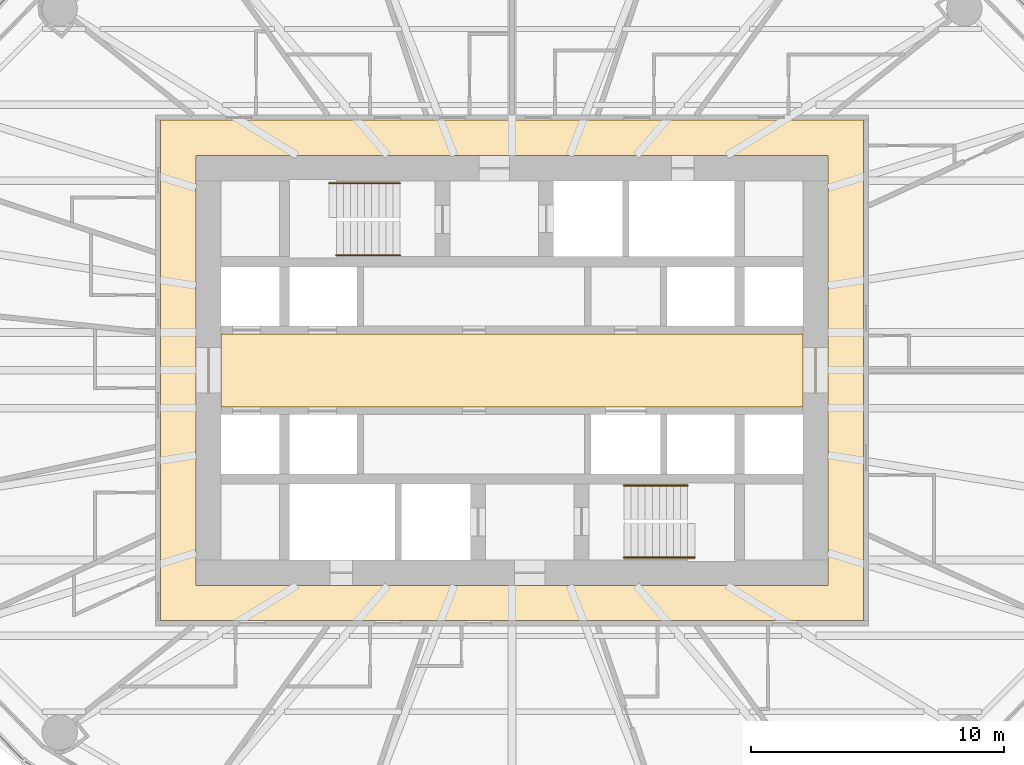
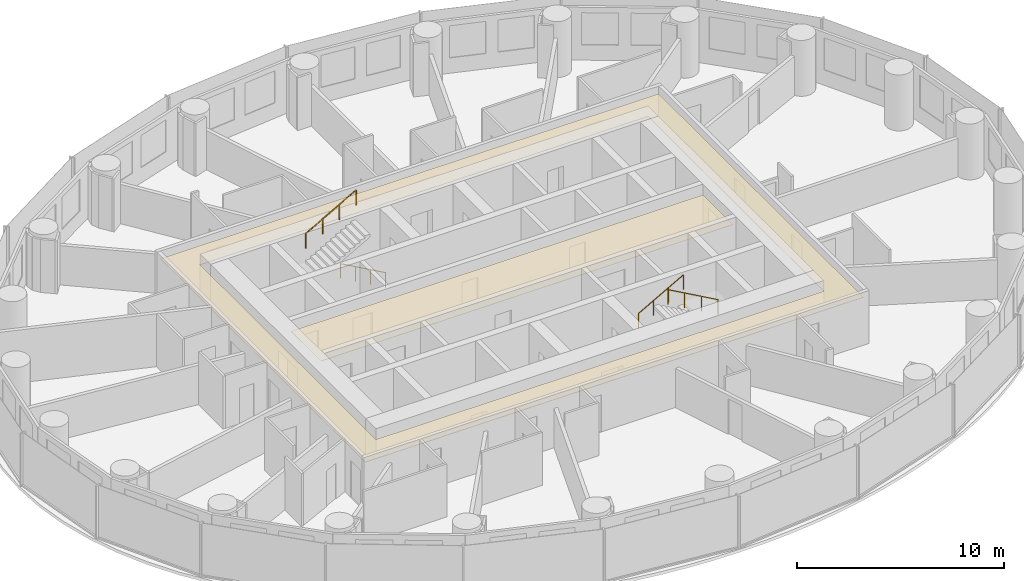
# One storey, part 13 of 13: 4 railings, 2 coverings.
"""IFC4 building model written with IfcOpenShell, lengths in metres."""

from ifc_helpers import new_model, si_unit, direction, frame, origin, origin_2d, place, context, subcontext, project, spatial, polyline, circle, outline, extrude, material, layer, layer_set, type_object, element, save


model = new_model("IFC4")

# Units and contexts
model_context = context("Model", 3, precision=1e-05, world=origin(), true_north=direction((0.0, 1.0)))
body_context = subcontext(model_context, "Body", "Model", "MODEL_VIEW")
ifc_project = project(units=[si_unit("LENGTHUNIT", "METRE"), si_unit("AREAUNIT", "SQUARE_METRE"), si_unit("VOLUMEUNIT", "CUBIC_METRE"), si_unit("PLANEANGLEUNIT", "RADIAN"), si_unit("MASSUNIT", "GRAM", prefix="KILO")], contexts=[model_context])

# Site, building, storey
site_placement = place(None, origin())
site = spatial("IfcSite", under=ifc_project, at=site_placement, CompositionType="ELEMENT")
building_placement = place(site_placement, origin())
building = spatial("IfcBuilding", under=site, at=building_placement, Name="Hankou Lantern Tower", CompositionType="ELEMENT")
storey_placement = place(building_placement, frame((0.0, 0.0, 80.39990234375)))
storey = spatial("IfcBuildingStorey", under=building, at=storey_placement, Name="L20", CompositionType="ELEMENT", Elevation=80.39990234375)

# Coverings
ifc_material_1 = material(Name="Black painted aluminium linear ceiling panels", Category="aluminium")
ifc_layer_1 = layer(ifc_material_1, 0.02490234375)
ifc_layer_set_1 = layer_set([ifc_layer_1], Name="Black painted aluminium linear ceiling panels")
covering_type_1 = type_object("IfcCoveringType", Name="CL1 CORRIDOR CEILING 25", PredefinedType="CEILING", material=ifc_layer_set_1)
covering_1_placement = place(storey_placement, frame((0.0, 0.0, 2.64501953125)))
element("IfcCovering", 1, at=covering_1_placement, inside=storey, type_object=covering_type_1, Name="Corridor ceiling L20", PredefinedType="CEILING", context=body_context, shape_type="SweptSolid", body=[
    extrude(outline(polyline([(-13.89990234375, -9.89990234375), (13.89990234375, -9.89990234375), (13.89990234375, 9.89990234375), (-13.89990234375, 9.89990234375), (-13.89990234375, -9.89990234375)]), holes=[polyline([(-12.5, 8.5), (12.5, 8.5), (12.5, -8.5), (-12.5, -8.5), (-12.5, 8.5)])]), origin(), (0.0, 0.0, 1.0), 0.025146484375),
])
ifc_material_2 = material(Name="Perforated black aluminium acoustic tray ceiling", Category="aluminium")
ifc_layer_2 = layer(ifc_material_2, 0.014892578125)
ifc_layer_set_2 = layer_set([ifc_layer_2], Name="Perforated black aluminium acoustic tray ceiling")
covering_type_2 = type_object("IfcCoveringType", Name="CL2 LIFT LOBBY CEILING 15", PredefinedType="CEILING", material=ifc_layer_set_2)
covering_2_placement = place(storey_placement, frame((0.0, 0.0, 2.655029296875)))
element("IfcCovering", 2, at=covering_2_placement, inside=storey, type_object=covering_type_2, Name="Lift lobby ceiling L20", PredefinedType="CEILING", context=body_context, shape_type="SweptSolid", body=[
    extrude(outline(polyline([(-11.5, -1.449951171875), (11.5, -1.449951171875), (11.5, 1.449951171875), (-11.5, 1.449951171875), (-11.5, -1.449951171875)])), origin(), (0.0, 0.0, 1.0), 0.01513671875),
])

# Railings
ifc_material_3 = material(Name="Steel handrail", Category="steel")
railing_type = type_object("IfcRailingType", Name="HR1 STAIR HANDRAIL", PredefinedType="HANDRAIL", material=ifc_material_3)
railing_1_placement = place(storey_placement, frame((-4.429931640625, 4.550048828125, 0.900146484375)))
element("IfcRailing", 3, at=railing_1_placement, inside=storey, type_object=railing_type, Name="Handrail stair STA L20 flight 1", PredefinedType="HANDRAIL", context=body_context, shape_type="SweptSolid", body=[
    extrude(circle(Radius=0.02392578125, at=origin_2d()), frame((0.0, 0.0, 0.8759765625), z_axis=(-0.872048945198, 0.0, 0.489418672692), x_axis=(0.0, -1.0, 0.0)), (0.0, 0.0, 1.0), 2.8896484375),
    extrude(circle(Radius=0.02099609375, at=origin_2d()), origin(), (0.0, 0.0, 1.0), 0.851806640625),
    extrude(circle(Radius=0.02099609375, at=origin_2d()), frame((-0.840087890625, 0.0, 0.471435546875)), (0.0, 0.0, 1.0), 0.851806640625),
    extrude(circle(Radius=0.02099609375, at=origin_2d()), frame((-1.679931640625, 0.0, 0.94287109375)), (0.0, 0.0, 1.0), 0.851806640625),
    extrude(circle(Radius=0.02099609375, at=origin_2d()), frame((-2.52001953125, 0.0, 1.414306640625)), (0.0, 0.0, 1.0), 0.851806640625),
])
railing_2_placement = place(storey_placement, frame((-7.22998046875, 7.39990234375, 2.471435546875)))
element("IfcRailing", 4, at=railing_2_placement, inside=storey, type_object=railing_type, Name="Handrail stair STA L20 flight 2", PredefinedType="HANDRAIL", context=body_context, shape_type="SweptSolid", body=[
    extrude(circle(Radius=0.02392578125, at=origin_2d()), frame((0.0, 0.0, 0.8759765625), z_axis=(0.872040151574, 0.0, 0.489434340891), x_axis=(0.0, 1.0, 0.0)), (0.0, 0.0, 1.0), 3.2109375),
    extrude(circle(Radius=0.02099609375, at=origin_2d()), origin(), (0.0, 0.0, 1.0), 0.851806640625),
    extrude(circle(Radius=0.02099609375, at=origin_2d()), frame((0.933349609375, 0.0, 0.52392578125)), (0.0, 0.0, 1.0), 0.851806640625),
    extrude(circle(Radius=0.02099609375, at=origin_2d()), frame((1.86669921875, 0.0, 1.047607421875)), (0.0, 0.0, 1.0), 0.851806640625),
    extrude(circle(Radius=0.02099609375, at=origin_2d()), frame((2.800048828125, 0.0, 1.571533203125)), (0.0, 0.0, 1.0), 0.851806640625),
])
railing_3_placement = place(storey_placement, frame((4.429931640625, -4.550048828125, 0.900146484375)))
element("IfcRailing", 5, at=railing_3_placement, inside=storey, type_object=railing_type, Name="Handrail stair STB L20 flight 1", PredefinedType="HANDRAIL", context=body_context, shape_type="SweptSolid", body=[
    extrude(circle(Radius=0.02392578125, at=origin_2d()), frame((0.0, 0.0, 0.8759765625), z_axis=(0.872048945198, 0.0, 0.489418672692), x_axis=(0.0, 1.0, 0.0)), (0.0, 0.0, 1.0), 2.8896484375),
    extrude(circle(Radius=0.02099609375, at=origin_2d()), origin(), (0.0, 0.0, 1.0), 0.851806640625),
    extrude(circle(Radius=0.02099609375, at=origin_2d()), frame((0.840087890625, 0.0, 0.471435546875)), (0.0, 0.0, 1.0), 0.851806640625),
    extrude(circle(Radius=0.02099609375, at=origin_2d()), frame((1.679931640625, 0.0, 0.94287109375)), (0.0, 0.0, 1.0), 0.851806640625),
    extrude(circle(Radius=0.02099609375, at=origin_2d()), frame((2.52001953125, 0.0, 1.414306640625)), (0.0, 0.0, 1.0), 0.851806640625),
])
railing_4_placement = place(storey_placement, frame((7.22998046875, -7.39990234375, 2.471435546875)))
element("IfcRailing", 6, at=railing_4_placement, inside=storey, type_object=railing_type, Name="Handrail stair STB L20 flight 2", PredefinedType="HANDRAIL", context=body_context, shape_type="SweptSolid", body=[
    extrude(circle(Radius=0.02392578125, at=origin_2d()), frame((0.0, 0.0, 0.8759765625), z_axis=(-0.872040151574, 0.0, 0.489434340891), x_axis=(0.0, -1.0, 0.0)), (0.0, 0.0, 1.0), 3.2109375),
    extrude(circle(Radius=0.02099609375, at=origin_2d()), origin(), (0.0, 0.0, 1.0), 0.851806640625),
    extrude(circle(Radius=0.02099609375, at=origin_2d()), frame((-0.933349609375, 0.0, 0.52392578125)), (0.0, 0.0, 1.0), 0.851806640625),
    extrude(circle(Radius=0.02099609375, at=origin_2d()), frame((-1.86669921875, 0.0, 1.047607421875)), (0.0, 0.0, 1.0), 0.851806640625),
    extrude(circle(Radius=0.02099609375, at=origin_2d()), frame((-2.800048828125, 0.0, 1.571533203125)), (0.0, 0.0, 1.0), 0.851806640625),
])

save(model, "model.ifc")
